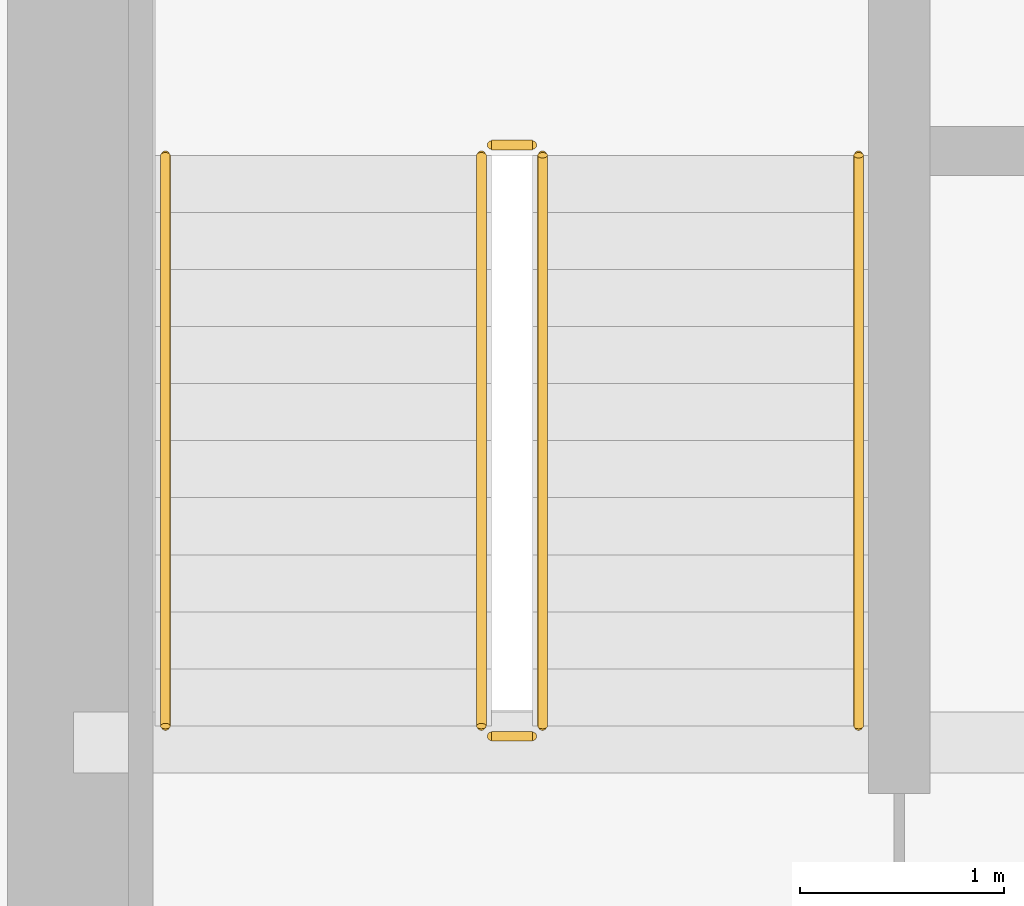
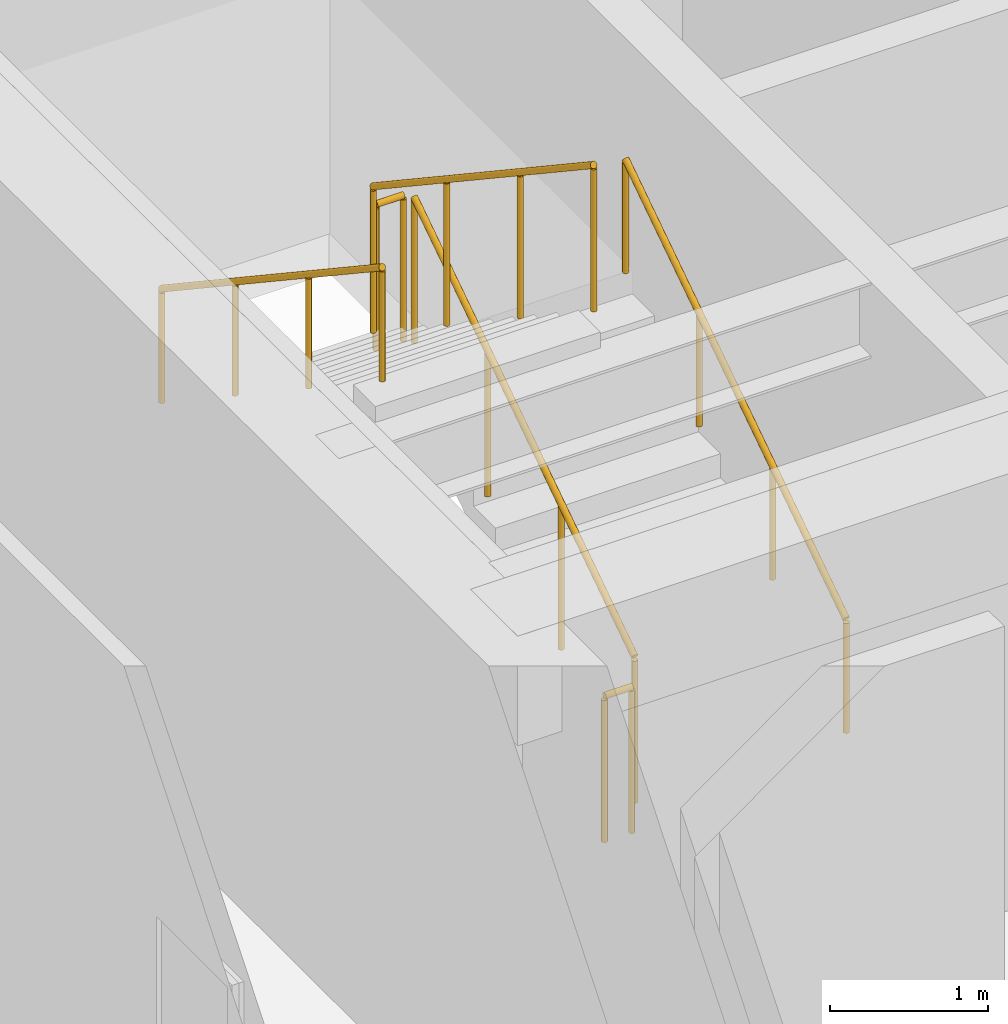
# One storey, part 29 of 30: 6 railings.
"""IFC4 building model written with IfcOpenShell, lengths in metres."""

import ifcopenshell
import ifcopenshell.guid

model = None  # the IFC model being written
_history = None  # IfcOwnerHistory: only IFC2X3 demands one
_inside = {}  # id of a spatial element -> (the spatial element, [elements in it])
_under = {}  # id of a project, library or spatial element -> (it, [spatial elements below it])
_declared = {}  # id of a project -> (the project, [libraries it declares])
_typed = {}  # id of a type object -> (the type object, [elements of that type])
_made_of = {}  # id of a material, layer set ... -> (it, [elements and type objects made of it])


def new_model(schema):
    """Start an empty IFC model of exactly this schema.

    Asked for "IFC4X3", IfcOpenShell would pick the latest addendum, in which some entities
    have other attributes; the version numbers below select the first issue.
    IFC2X3 requires an IfcOwnerHistory on every rooted entity: one is made here for all.
    """
    global model, _history
    if schema == "IFC4X3":
        model = ifcopenshell.file(schema_version=(4, 3, 0, 0))
    else:
        model = ifcopenshell.file(schema=schema)
    _inside.clear()
    _under.clear()
    _declared.clear()
    _typed.clear()
    _made_of.clear()
    _history = None
    if model.schema == "IFC2X3":
        org = make("IfcOrganization", Name="unknown")
        user = make(
            "IfcPersonAndOrganization",
            ThePerson=make("IfcPerson", FamilyName="unknown"),
            TheOrganization=org,
        )
        app = make(
            "IfcApplication",
            ApplicationDeveloper=org,
            Version="unknown",
            ApplicationFullName="unknown",
            ApplicationIdentifier="unknown",
        )
        _history = make(
            "IfcOwnerHistory",
            OwningUser=user,
            OwningApplication=app,
            ChangeAction="ADDED",
            CreationDate=0,
        )
    return model


def make(cls, **values):
    """One entity of the class cls with the attributes given. An attribute that is None is left unset."""
    return model.create_entity(
        cls, **{name: value for name, value in values.items() if value is not None}
    )


def rooted(cls, **values):
    """An entity with a GlobalId (a new one), such as an element, a storey or a relation."""
    return make(cls, GlobalId=ifcopenshell.guid.new(), OwnerHistory=_history, **values)


def si_unit(unit_type, name, prefix=None):
    """IfcSIUnit, for example si_unit("LENGTHUNIT", "METRE", prefix="MILLI")."""
    return make("IfcSIUnit", UnitType=unit_type, Prefix=prefix, Name=name)


def assignment(units):
    """IfcUnitAssignment: the units of a project."""
    return None if units is None else make("IfcUnitAssignment", Units=units)


def point(xyz):
    """IfcCartesianPoint."""
    return None if xyz is None else make("IfcCartesianPoint", Coordinates=xyz)


def direction(xyz):
    """IfcDirection."""
    return None if xyz is None else make("IfcDirection", DirectionRatios=xyz)


def frame(location, z_axis=None, x_axis=None):
    """IfcAxis2Placement3D, a coordinate frame: its origin and axes. An axis left out is left unset."""
    return make(
        "IfcAxis2Placement3D",
        Location=point(location),
        Axis=direction(z_axis),
        RefDirection=direction(x_axis),
    )


def frame_2d(location, x_axis=None):
    """IfcAxis2Placement2D, a coordinate frame in the plane: its origin and x axis."""
    return make(
        "IfcAxis2Placement2D", Location=point(location), RefDirection=direction(x_axis)
    )


def origin():
    """The frame at (0, 0, 0) with its axes left unset."""
    return frame((0.0, 0.0, 0.0))


def origin_2d():
    """The frame at (0, 0) in the plane with its x axis left unset."""
    return frame_2d((0.0, 0.0))


def place(relative_to, where):
    """IfcLocalPlacement: puts the frame where relative to a parent placement (None: the world)."""
    return make(
        "IfcLocalPlacement", PlacementRelTo=relative_to, RelativePlacement=where
    )


def context(
    kind, dimensions, precision=None, world=None, true_north=None, identifier=None
):
    """IfcGeometricRepresentationContext, for example the 3D "Model" context."""
    return make(
        "IfcGeometricRepresentationContext",
        ContextIdentifier=identifier,
        ContextType=kind,
        CoordinateSpaceDimension=dimensions,
        Precision=precision,
        WorldCoordinateSystem=world,
        TrueNorth=true_north,
    )


def subcontext(parent, identifier, kind, view, scale=None):
    """IfcGeometricRepresentationSubContext, for example "Body" below "Model"."""
    return make(
        "IfcGeometricRepresentationSubContext",
        ContextIdentifier=identifier,
        ContextType=kind,
        ParentContext=parent,
        TargetScale=scale,
        TargetView=view,
    )


def project(units=None, contexts=None):
    """IfcProject with its units and contexts."""
    return rooted(
        "IfcProject",
        Name="project",
        RepresentationContexts=contexts,
        UnitsInContext=assignment(units),
    )


def spatial(cls, under=None, at=None, **own):
    """A site, building, storey or space (cls), placed at a placement, below another one or the project."""
    s = rooted(cls, ObjectPlacement=at, **own)
    if under is not None:
        _under.setdefault(under.id(), (under, []))[1].append(s)
    return s


def profile(cls, at=None, kind="AREA", **sizes):
    """A parametric profile (cls). Its sizes go by their IFC names, for example OverallWidth=200.0."""
    return make(cls, ProfileType=kind, Position=at, **sizes)


def circle(**sizes):
    """IfcCircleProfileDef."""
    return profile("IfcCircleProfileDef", **sizes)


def extrude(swept, where, along, depth):
    """IfcExtrudedAreaSolid: the profile swept, set in the frame where, extruded along a direction by depth."""
    return make(
        "IfcExtrudedAreaSolid",
        SweptArea=swept,
        Position=where,
        ExtrudedDirection=direction(along),
        Depth=depth,
    )


def shape(context_of_items, identifier, shape_type, items):
    """IfcShapeRepresentation: the items that make up one representation, for example the "Body"."""
    return make(
        "IfcShapeRepresentation",
        ContextOfItems=context_of_items,
        RepresentationIdentifier=identifier,
        RepresentationType=shape_type,
        Items=items,
    )


def source(mapping_origin, context_of_items, identifier, shape_type, items):
    """IfcRepresentationMap: a shape defined once, which mapped items show again and again."""
    return make(
        "IfcRepresentationMap",
        MappingOrigin=mapping_origin,
        MappedRepresentation=shape(context_of_items, identifier, shape_type, items),
    )


def transform(
    local_origin,
    x_axis=None,
    y_axis=None,
    z_axis=None,
    scale=None,
    scale2=None,
    scale3=None,
    uniform=True,
):
    """IfcCartesianTransformationOperator3D, or its non-uniform kind. x_axis, y_axis, z_axis: its Axis1, 2, 3."""
    if uniform:
        return make(
            "IfcCartesianTransformationOperator3D",
            Axis1=direction(x_axis),
            Axis2=direction(y_axis),
            LocalOrigin=point(local_origin),
            Scale=scale,
            Axis3=direction(z_axis),
        )
    return make(
        "IfcCartesianTransformationOperator3DnonUniform",
        Axis1=direction(x_axis),
        Axis2=direction(y_axis),
        LocalOrigin=point(local_origin),
        Scale=scale,
        Axis3=direction(z_axis),
        Scale2=scale2,
        Scale3=scale3,
    )


def mapped(mapping_source, mapping_target):
    """IfcMappedItem: shows the shape of a source again, moved by a transform."""
    return make(
        "IfcMappedItem", MappingSource=mapping_source, MappingTarget=mapping_target
    )


def material(Name=None, Category=None):
    """IfcMaterial."""
    return make("IfcMaterial", Name=Name, Category=Category)


def made_of(thing, what):
    """Note that an element or type object is made of a material, layer set ...; save() writes the relation."""
    if what is not None:
        _made_of.setdefault(what.id(), (what, []))[1].append(thing)
    return thing


def type_object(cls, material=None, **own):
    """A type object (cls), such as IfcWallType, which elements share."""
    return made_of(rooted(cls, **own), material)


def type_shapes(of_type, sources):
    """Give a type object the sources (RepresentationMaps) that its elements show as mapped items."""
    of_type.RepresentationMaps = sources


def element(
    cls,
    number,
    at=None,
    inside=None,
    cuts=None,
    type_object=None,
    material=None,
    context=None,
    identifier="Body",
    shape_type=None,
    held_by="IfcProductDefinitionShape",
    body=None,
    shapes=None,
    **own,
):
    """One element of the class cls, such as IfcWall. Its Tag is "e" and its number.

    at: its placement. inside: the storey or other place that contains it. cuts: it is an
    opening in that element (IfcRelVoidsElement). A single representation is given by context,
    identifier, shape_type and body (its items); several are given by shapes. held_by: the class
    of the entity that holds the representations. save() writes the other relations.
    """
    e = rooted(cls, Tag="e%d" % number, ObjectPlacement=at, **own)
    if body is not None:
        shapes = [shape(context, identifier, shape_type, body)]
    if shapes is not None:
        e.Representation = make(held_by, Representations=shapes)
    if inside is not None:
        _inside.setdefault(inside.id(), (inside, []))[1].append(e)
    if cuts is not None:
        rooted(
            "IfcRelVoidsElement", RelatingBuildingElement=cuts, RelatedOpeningElement=e
        )
    if type_object is not None:
        _typed.setdefault(type_object.id(), (type_object, []))[1].append(e)
    return made_of(e, material)


def aggregate(whole, parts):
    """IfcRelAggregates: a whole, such as a stair, and the parts it consists of."""
    return rooted("IfcRelAggregates", RelatingObject=whole, RelatedObjects=parts)


def save(model, path):
    """Write the relations noted so far, then the file.

    IfcRelAggregates (storeys below a building ...), IfcRelContainedInSpatialStructure (elements
    in a storey), IfcRelDefinesByType, IfcRelAssociatesMaterial and IfcRelDeclares: one each for
    every whole, place, type object, material and project.
    """
    for whole, parts in _under.values():
        aggregate(whole, parts)
    for where, things in _inside.values():
        rooted(
            "IfcRelContainedInSpatialStructure",
            RelatedElements=things,
            RelatingStructure=where,
        )
    for kind, things in _typed.values():
        rooted("IfcRelDefinesByType", RelatedObjects=things, RelatingType=kind)
    for what, things in _made_of.values():
        rooted("IfcRelAssociatesMaterial", RelatedObjects=things, RelatingMaterial=what)
    for by, libraries in _declared.values():
        rooted("IfcRelDeclares", RelatingContext=by, RelatedDefinitions=libraries)
    model.write(path)


model = new_model("IFC4")

# Units and contexts
model_context = context("Model", 3, precision=1e-05, world=origin(), true_north=direction((0.0, 1.0)))
body_context = subcontext(model_context, "Body", "Model", "MODEL_VIEW")
ifc_project = project(units=[si_unit("LENGTHUNIT", "METRE"), si_unit("AREAUNIT", "SQUARE_METRE"), si_unit("VOLUMEUNIT", "CUBIC_METRE"), si_unit("PLANEANGLEUNIT", "RADIAN"), si_unit("MASSUNIT", "GRAM", prefix="KILO")], contexts=[model_context])

# Site, building, storey
site_placement = place(None, origin())
site = spatial("IfcSite", under=ifc_project, at=site_placement, CompositionType="ELEMENT")
building_placement = place(site_placement, origin())
building = spatial("IfcBuilding", under=site, at=building_placement, Name="Haelvirn Gate Laboratories", CompositionType="ELEMENT")
storey_placement = place(building_placement, frame((0.0, 0.0, 187.10009765625)))
storey = spatial("IfcBuildingStorey", under=building, at=storey_placement, Name="L45", CompositionType="ELEMENT", Elevation=187.10009765625)

# Railings
ifc_material_1 = material(Name="Galvanised steel SM355 & stainless top rail", Category="steel")
railing_type_1 = type_object("IfcRailingType", Name="RL-GUARD-1150", PredefinedType="GUARDRAIL", material=ifc_material_1)
shared_shape_1 = source(origin(), body_context, "Body", "SweptSolid", [
    extrude(circle(Radius=0.02392578125, at=origin_2d()), frame((0.0, 0.0, 1.1259765625), z_axis=(-1.0, 0.0, 0.0), x_axis=(0.0, -1.0, 0.0)), (0.0, 0.0, 1.0), 0.199951171875),
    extrude(circle(Radius=0.02099609375, at=origin_2d()), origin(), (0.0, 0.0, 1.0), 1.101806640625),
    extrude(circle(Radius=0.02099609375, at=origin_2d()), frame((-0.199951171875, 0.0, 0.0)), (0.0, 0.0, 1.0), 1.101806640625),
])
for number, where, name in (
    (1, (9.64990234375, 29.550048828125, 2.0498046875), "L45 ST1 stair guard 2"),
    (2, (9.64990234375, 26.64990234375, 0.0), "L45 ST1 stair guard 4"),
):
    element("IfcRailing", number, at=place(storey_placement, frame(where)), inside=storey, type_object=railing_type_1, Name=name, PredefinedType="GUARDRAIL", context=body_context, shape_type="MappedRepresentation", body=[
        mapped(shared_shape_1, transform((0.0, 0.0, 0.0), scale=1.0)),
    ])
shared_shape_2 = source(origin(), body_context, "Body", "SweptSolid", [
    extrude(circle(Radius=0.02392578125, at=origin_2d()), frame((0.0, 0.0, 1.1259765625), z_axis=(0.0, 0.832485552168, 0.554046753832), x_axis=(-1.0, 0.0, 0.0)), (0.0, 0.0, 1.0), 3.363525390625),
    extrude(circle(Radius=0.02099609375, at=origin_2d()), origin(), (0.0, 0.0, 1.0), 1.101806640625),
    extrude(circle(Radius=0.02099609375, at=origin_2d()), frame((0.0, 0.933349609375, 0.62109375)), (0.0, 0.0, 1.0), 1.101806640625),
    extrude(circle(Radius=0.02099609375, at=origin_2d()), frame((0.0, 1.86669921875, 1.242431640625)), (0.0, 0.0, 1.0), 1.101806640625),
    extrude(circle(Radius=0.02099609375, at=origin_2d()), frame((0.0, 2.800048828125, 1.863525390625)), (0.0, 0.0, 1.0), 1.101806640625),
])
railing_1_placement = place(storey_placement, frame((9.699951171875, 26.699951171875, 0.186279296875)))
element("IfcRailing", 3, at=railing_1_placement, inside=storey, type_object=railing_type_1, Name="L45 ST1 stair guard 1", PredefinedType="GUARDRAIL", context=body_context, shape_type="MappedRepresentation", body=[
    mapped(shared_shape_2, transform((0.0, 0.0, 0.0), scale=1.0)),
])
ifc_material_2 = material(Name="Brushed stainless steel 316L", Category="steel")
railing_type_2 = type_object("IfcRailingType", Name="RL-HAND-920", PredefinedType="HANDRAIL", material=ifc_material_2)
shared_shape_3 = source(origin(), body_context, "Body", "SweptSolid", [
    extrude(circle(Radius=0.02392578125, at=origin_2d()), frame((0.0, 0.0, 0.8759765625), z_axis=(0.0, 0.832485552168, 0.554046753832), x_axis=(-1.0, 0.0, 0.0)), (0.0, 0.0, 1.0), 3.363525390625),
    extrude(circle(Radius=0.02099609375, at=origin_2d()), origin(), (0.0, 0.0, 1.0), 0.851806640625),
    extrude(circle(Radius=0.02099609375, at=origin_2d()), frame((0.0, 0.933349609375, 0.62109375)), (0.0, 0.0, 1.0), 0.851806640625),
    extrude(circle(Radius=0.02099609375, at=origin_2d()), frame((0.0, 1.86669921875, 1.242431640625)), (0.0, 0.0, 1.0), 0.851806640625),
    extrude(circle(Radius=0.02099609375, at=origin_2d()), frame((0.0, 2.800048828125, 1.863525390625)), (0.0, 0.0, 1.0), 0.851806640625),
])
railing_2_placement = place(storey_placement, frame((11.25, 26.699951171875, 0.186279296875)))
element("IfcRailing", 4, at=railing_2_placement, inside=storey, type_object=railing_type_2, Name="L45 ST1 stair handrail 1", PredefinedType="HANDRAIL", context=body_context, shape_type="MappedRepresentation", body=[
    mapped(shared_shape_3, transform((0.0, 0.0, 0.0), scale=1.0)),
])
shared_shape_4 = source(origin(), body_context, "Body", "SweptSolid", [
    extrude(circle(Radius=0.02392578125, at=origin_2d()), frame((0.0, 0.0, 1.1259765625), z_axis=(0.0, -0.832485552168, 0.554046753832), x_axis=(1.0, 0.0, 0.0)), (0.0, 0.0, 1.0), 3.363525390625),
    extrude(circle(Radius=0.02099609375, at=origin_2d()), origin(), (0.0, 0.0, 1.0), 1.101806640625),
    extrude(circle(Radius=0.02099609375, at=origin_2d()), frame((0.0, -0.933349609375, 0.62109375)), (0.0, 0.0, 1.0), 1.101806640625),
    extrude(circle(Radius=0.02099609375, at=origin_2d()), frame((0.0, -1.86669921875, 1.242431640625)), (0.0, 0.0, 1.0), 1.101806640625),
    extrude(circle(Radius=0.02099609375, at=origin_2d()), frame((0.0, -2.800048828125, 1.863525390625)), (0.0, 0.0, 1.0), 1.101806640625),
])
type_shapes(railing_type_1, [shared_shape_1, shared_shape_2, shared_shape_4])
railing_3_placement = place(storey_placement, frame((9.39990234375, 29.5, 2.236328125)))
element("IfcRailing", 5, at=railing_3_placement, inside=storey, type_object=railing_type_1, Name="L45 ST1 stair guard 3", PredefinedType="GUARDRAIL", context=body_context, shape_type="MappedRepresentation", body=[
    mapped(shared_shape_4, transform((0.0, 0.0, 0.0), scale=1.0)),
])
shared_shape_5 = source(origin(), body_context, "Body", "SweptSolid", [
    extrude(circle(Radius=0.02392578125, at=origin_2d()), frame((0.0, 0.0, 0.8759765625), z_axis=(0.0, -0.832485552168, 0.554046753832), x_axis=(1.0, 0.0, 0.0)), (0.0, 0.0, 1.0), 3.363525390625),
    extrude(circle(Radius=0.02099609375, at=origin_2d()), origin(), (0.0, 0.0, 1.0), 0.851806640625),
    extrude(circle(Radius=0.02099609375, at=origin_2d()), frame((0.0, -0.933349609375, 0.62109375)), (0.0, 0.0, 1.0), 0.851806640625),
    extrude(circle(Radius=0.02099609375, at=origin_2d()), frame((0.0, -1.86669921875, 1.242431640625)), (0.0, 0.0, 1.0), 0.851806640625),
    extrude(circle(Radius=0.02099609375, at=origin_2d()), frame((0.0, -2.800048828125, 1.863525390625)), (0.0, 0.0, 1.0), 0.851806640625),
])
type_shapes(railing_type_2, [shared_shape_3, shared_shape_5])
railing_4_placement = place(storey_placement, frame((7.85009765625, 29.5, 2.236328125)))
element("IfcRailing", 6, at=railing_4_placement, inside=storey, type_object=railing_type_2, Name="L45 ST1 stair handrail 2", PredefinedType="HANDRAIL", context=body_context, shape_type="MappedRepresentation", body=[
    mapped(shared_shape_5, transform((0.0, 0.0, 0.0), scale=1.0)),
])

save(model, "model.ifc")
